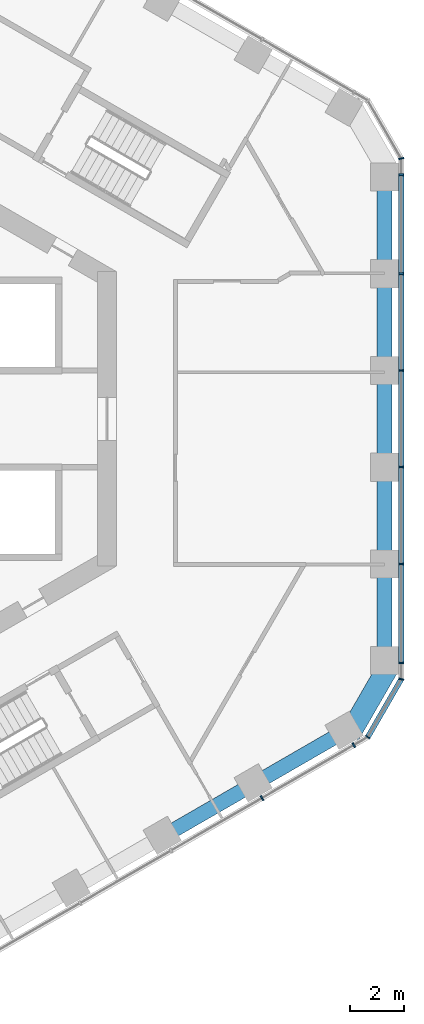
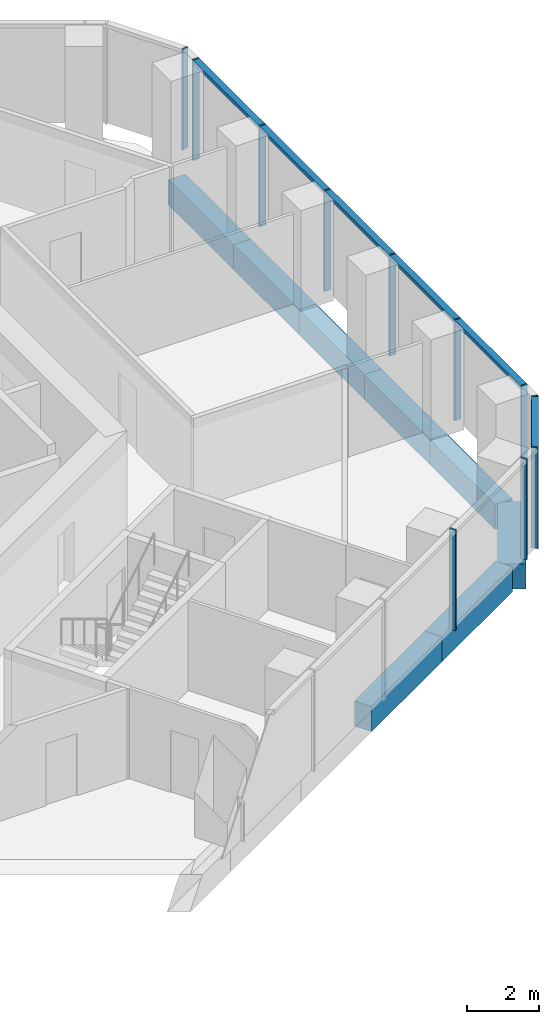
# One storey, part 5 of 19: 13 members, 8 beams, 4 elements without a shape of their own.
"""IFC4 building model written with IfcOpenShell, lengths in metres."""

from ifc_helpers import new_model, si_unit, direction, frame, origin, origin_2d, place, context, subcontext, project, spatial, rectangle, extrude, material, layer, layer_set, material_profile, profile_set, type_object, element, aggregate, save


model = new_model("IFC4")

# Units and contexts
model_context = context("Model", 3, precision=1e-05, world=origin(), true_north=direction((0.0, 1.0)))
body_context = subcontext(model_context, "Body", "Model", "MODEL_VIEW")
ifc_project = project(units=[si_unit("LENGTHUNIT", "METRE"), si_unit("AREAUNIT", "SQUARE_METRE"), si_unit("VOLUMEUNIT", "CUBIC_METRE"), si_unit("PLANEANGLEUNIT", "RADIAN"), si_unit("MASSUNIT", "GRAM", prefix="KILO")], contexts=[model_context])

# Site, building, storey
site_placement = place(None, origin())
site = spatial("IfcSite", under=ifc_project, at=site_placement, CompositionType="ELEMENT")
building_placement = place(site_placement, origin())
building = spatial("IfcBuilding", under=site, at=building_placement, Name="Ayvan Gate Tower", CompositionType="ELEMENT")
storey_placement = place(building_placement, frame((0.0, 0.0, 106.89990234375)))
storey = spatial("IfcBuildingStorey", under=building, at=storey_placement, Name="L28", CompositionType="ELEMENT", Elevation=106.89990234375)

# Beams
ifc_material_1 = material(Name="Concrete C40/50", Category="concrete")
ifc_material_profile_1 = material_profile(ifc_material_1, rectangle(XDim=0.800048828125, YDim=0.85009765625, at=origin_2d()), Name="RC 800x850")
ifc_profile_set_1 = profile_set([ifc_material_profile_1], Name="Concrete C40/50")
beam_type_1 = type_object("IfcBeamType", Name="Corner spandrel beam RC 800x850 C40/50", PredefinedType="BEAM", material=ifc_profile_set_1)
beam_placement = place(storey_placement, frame((18.176025390625, -11.761962890625, -0.77490234375), z_axis=(0.499990139034, 0.866031096941, 0.0), x_axis=(-0.866031096941, 0.499990139034, 0.0)))
element("IfcBeam", 1, at=beam_placement, inside=storey, type_object=beam_type_1, Name="SB-L28-36", PredefinedType="BEAM", context=body_context, shape_type="SweptSolid", body=[
    extrude(rectangle(XDim=0.800048828125, YDim=0.85009765625, at=origin_2d()), origin(), (0.0, 0.0, 1.0), 3.0),
])
ifc_material_profile_2 = material_profile(ifc_material_1, rectangle(XDim=0.550048828125, YDim=0.85009765625, at=origin_2d()), Name="RC 550x850")
ifc_profile_set_2 = profile_set([ifc_material_profile_2], Name="Concrete C40/50")
beam_type_2 = type_object("IfcBeamType", Name="Spandrel beam RC 550x850 C40/50", PredefinedType="BEAM", material=ifc_profile_set_2)
for number, where, z_axis, x_axis, name in (
    (2, (19.485595703125, -9.053955078125, -0.77490234375), (0.0, 1.0, 0.0), (-1.0, 0.0, 0.0), "SB-L28-1"),
    (3, (19.485595703125, -5.432373046875, -0.77490234375), (0.0, 1.0, 0.0), (-1.0, 0.0, 0.0), "SB-L28-2"),
    (4, (19.485595703125, -1.810791015625, -0.77490234375), (0.0, 1.0, 0.0), (-1.0, 0.0, 0.0), "SB-L28-3"),
    (5, (19.485595703125, 1.810791015625, -0.77490234375), (0.0, 1.0, 0.0), (-1.0, 0.0, 0.0), "SB-L28-4"),
    (6, (19.485595703125, 5.432373046875, -0.77490234375), (0.0, 1.0, 0.0), (-1.0, 0.0, 0.0), "SB-L28-5"),
):
    element("IfcBeam", number, at=place(storey_placement, frame(where, z_axis=z_axis, x_axis=x_axis)), inside=storey, type_object=beam_type_2, Name=name, PredefinedType="BEAM", context=body_context, shape_type="SweptSolid", body=[
        extrude(rectangle(XDim=0.550048828125, YDim=0.85009765625, at=origin_2d()), origin(), (0.0, 0.0, 1.0), 3.62158203125),
    ])
for number, where, z_axis, x_axis, name in (
    (7, (11.23046875, -15.552001953125, -0.77490234375), (0.866042777325, 0.499969906938, 0.0), (-0.499969906938, 0.866042777325, 0.0), "SB-L28-34"),
    (8, (14.608154296875, -13.60205078125, -0.77490234375), (0.866000020948, 0.500043961785, 0.0), (-0.500043961785, 0.866000020948, 0.0), "SB-L28-35"),
):
    element("IfcBeam", number, at=place(storey_placement, frame(where, z_axis=z_axis, x_axis=x_axis)), inside=storey, type_object=beam_type_2, Name=name, PredefinedType="BEAM", context=body_context, shape_type="SweptSolid", body=[
        extrude(rectangle(XDim=0.550048828125, YDim=0.85009765625, at=origin_2d()), origin(), (0.0, 0.0, 1.0), 3.900146484375),
    ])

# Curtain wall, members
ifc_material_2 = material(Name="Bronze anodised aluminium", Category="aluminium")
ifc_layer_1 = layer(ifc_material_2, 0.199951171875)
ifc_layer_set_1 = layer_set([ifc_layer_1], Name="Bronze anodised aluminium")
curtain_wall_type_1 = type_object("IfcCurtainWallType", Name="Stick curtain wall CW-1", PredefinedType="NOTDEFINED", material=ifc_layer_set_1)
curtain_wall_1_placement = place(storey_placement, origin())
curtain_wall_1 = element("IfcCurtainWall", 9, at=curtain_wall_1_placement, inside=storey, type_object=curtain_wall_type_1, Name="Stick curtain wall CW-1 L28", PredefinedType="NOTDEFINED")
ifc_material_profile_3 = material_profile(ifc_material_2, rectangle(XDim=0.199951171875, YDim=0.06005859375, at=origin_2d()), Name="Stick curtain wall CW-1 mullion 200 x 60")
ifc_profile_set_3 = profile_set([ifc_material_profile_3], Name="Bronze anodised aluminium")
member_type_1 = type_object("IfcMemberType", Name="Stick curtain wall CW-1 mullion 200 x 60", PredefinedType="MULLION", material=ifc_profile_set_3)
member_1_placement = place(storey_placement, frame((14.9267578125, -14.1240234375, 0.0), z_axis=(0.0, 0.0, 1.0), x_axis=(0.5, -0.866025403784, 0.0)))
member_1 = element("IfcMember", 10, at=member_1_placement, type_object=member_type_1, Name="CW-1 mullion 5", PredefinedType="MULLION", context=body_context, shape_type="SweptSolid", body=[
    extrude(rectangle(XDim=0.199951171875, YDim=0.06005859375, at=origin_2d()), origin(), (0.0, 0.0, 1.0), 3.400146484375),
])
member_2_placement = place(storey_placement, frame((18.34326171875, -12.1513671875, 0.0), z_axis=(0.0, 0.0, 1.0), x_axis=(0.5, -0.866025403784, 0.0)))
member_2 = element("IfcMember", 11, at=member_2_placement, type_object=member_type_1, Name="CW-1 mullion 6", PredefinedType="MULLION", context=body_context, shape_type="SweptSolid", body=[
    extrude(rectangle(XDim=0.199951171875, YDim=0.06005859375, at=origin_2d()), origin(), (0.0, 0.0, 1.0), 3.400146484375),
])
aggregate(curtain_wall_1, [member_1, member_2])

curtain_wall_2_placement = place(storey_placement, origin())
curtain_wall_2 = element("IfcCurtainWall", 12, at=curtain_wall_2_placement, inside=storey, type_object=curtain_wall_type_1, Name="Stick curtain wall CW-1 L28", PredefinedType="NOTDEFINED")
member_3_placement = place(storey_placement, frame((20.110595703125, -9.090576171875, 0.0), z_axis=(0.0, 0.0, 1.0), x_axis=(1.0, 0.0, 0.0)))
member_3 = element("IfcMember", 13, at=member_3_placement, type_object=member_type_1, Name="CW-1 mullion 1", PredefinedType="MULLION", context=body_context, shape_type="SweptSolid", body=[
    extrude(rectangle(XDim=0.199951171875, YDim=0.06005859375, at=origin_2d()), origin(), (0.0, 0.0, 1.0), 3.400146484375),
])
member_4_placement = place(storey_placement, frame((20.110595703125, -5.402587890625, 0.0), z_axis=(0.0, 0.0, 1.0), x_axis=(1.0, 0.0, 0.0)))
member_4 = element("IfcMember", 14, at=member_4_placement, type_object=member_type_1, Name="CW-1 mullion 2", PredefinedType="MULLION", context=body_context, shape_type="SweptSolid", body=[
    extrude(rectangle(XDim=0.199951171875, YDim=0.06005859375, at=origin_2d()), origin(), (0.0, 0.0, 1.0), 3.400146484375),
])
member_5_placement = place(storey_placement, frame((20.110595703125, -1.800537109375, 0.0), z_axis=(0.0, 0.0, 1.0), x_axis=(1.0, 0.0, 0.0)))
member_5 = element("IfcMember", 15, at=member_5_placement, type_object=member_type_1, Name="CW-1 mullion 3", PredefinedType="MULLION", context=body_context, shape_type="SweptSolid", body=[
    extrude(rectangle(XDim=0.199951171875, YDim=0.06005859375, at=origin_2d()), origin(), (0.0, 0.0, 1.0), 3.400146484375),
])
member_6_placement = place(storey_placement, frame((20.110595703125, 1.800537109375, 0.0), z_axis=(0.0, 0.0, 1.0), x_axis=(1.0, 0.0, 0.0)))
member_6 = element("IfcMember", 16, at=member_6_placement, type_object=member_type_1, Name="CW-1 mullion 4", PredefinedType="MULLION", context=body_context, shape_type="SweptSolid", body=[
    extrude(rectangle(XDim=0.199951171875, YDim=0.06005859375, at=origin_2d()), origin(), (0.0, 0.0, 1.0), 3.400146484375),
])
member_7_placement = place(storey_placement, frame((20.110595703125, 5.402587890625, 0.0), z_axis=(0.0, 0.0, 1.0), x_axis=(1.0, 0.0, 0.0)))
member_7 = element("IfcMember", 17, at=member_7_placement, type_object=member_type_1, Name="CW-1 mullion 5", PredefinedType="MULLION", context=body_context, shape_type="SweptSolid", body=[
    extrude(rectangle(XDim=0.199951171875, YDim=0.06005859375, at=origin_2d()), origin(), (0.0, 0.0, 1.0), 3.400146484375),
])
member_8_placement = place(storey_placement, frame((20.110595703125, 9.090576171875, 0.0), z_axis=(0.0, 0.0, 1.0), x_axis=(1.0, 0.0, 0.0)))
member_8 = element("IfcMember", 18, at=member_8_placement, type_object=member_type_1, Name="CW-1 mullion 6", PredefinedType="MULLION", context=body_context, shape_type="SweptSolid", body=[
    extrude(rectangle(XDim=0.199951171875, YDim=0.06005859375, at=origin_2d()), origin(), (0.0, 0.0, 1.0), 3.400146484375),
])
ifc_material_profile_4 = material_profile(ifc_material_2, rectangle(XDim=0.199951171875, YDim=0.1201171875, at=origin_2d()), Name="Stick curtain wall CW-1 transom 200 x 120")
ifc_profile_set_4 = profile_set([ifc_material_profile_4], Name="Bronze anodised aluminium")
member_type_2 = type_object("IfcMemberType", Name="Stick curtain wall CW-1 transom 200 x 120", PredefinedType="USERDEFINED", material=ifc_profile_set_4)
member_9_placement = place(storey_placement, frame((20.110595703125, -9.090576171875, 3.340087890625), z_axis=(0.0, 1.0, 0.0), x_axis=(-1.0, 0.0, 0.0)))
member_9 = element("IfcMember", 19, at=member_9_placement, type_object=member_type_2, Name="CW-1 transom 1", ObjectType="TRANSOM", PredefinedType="USERDEFINED", context=body_context, shape_type="SweptSolid", body=[
    extrude(rectangle(XDim=0.199951171875, YDim=0.1201171875, at=origin_2d()), origin(), (0.0, 0.0, 1.0), 18.18115234375),
])
aggregate(curtain_wall_2, [member_3, member_4, member_5, member_6, member_7, member_8, member_9])

ifc_layer_2 = layer(ifc_material_2, 0.199951171875)
ifc_layer_set_2 = layer_set([ifc_layer_2], Name="Bronze anodised aluminium")
curtain_wall_type_2 = type_object("IfcCurtainWallType", Name="Stick curtain wall CW-6", PredefinedType="NOTDEFINED", material=ifc_layer_set_2)
curtain_wall_3_placement = place(storey_placement, origin())
curtain_wall_3 = element("IfcCurtainWall", 20, at=curtain_wall_3_placement, inside=storey, type_object=curtain_wall_type_2, Name="Stick curtain wall CW-6 L28", PredefinedType="NOTDEFINED")
ifc_material_profile_5 = material_profile(ifc_material_2, rectangle(XDim=0.199951171875, YDim=0.050048828125, at=origin_2d()), Name="Stick curtain wall CW-6 mullion 200 x 50")
ifc_profile_set_5 = profile_set([ifc_material_profile_5], Name="Bronze anodised aluminium")
member_type_3 = type_object("IfcMemberType", Name="Stick curtain wall CW-6 mullion 200 x 50", PredefinedType="MULLION", material=ifc_profile_set_5)
member_10_placement = place(storey_placement, frame((18.8671875, -11.848876953125, 0.0), z_axis=(0.0, 0.0, 1.0), x_axis=(0.707106781187, -0.707106781187, 0.0)))
member_10 = element("IfcMember", 21, at=member_10_placement, type_object=member_type_3, Name="CW-6 mullion 2", PredefinedType="MULLION", context=body_context, shape_type="SweptSolid", body=[
    extrude(rectangle(XDim=0.199951171875, YDim=0.050048828125, at=origin_2d()), origin(), (0.0, 0.0, 1.0), 3.400146484375),
])
member_11_placement = place(storey_placement, frame((20.110595703125, -9.695556640625, 0.0), z_axis=(0.0, 0.0, 1.0), x_axis=(0.965925826289, -0.258819045103, 0.0)))
member_11 = element("IfcMember", 22, at=member_11_placement, type_object=member_type_3, Name="CW-6 mullion 3", PredefinedType="MULLION", context=body_context, shape_type="SweptSolid", body=[
    extrude(rectangle(XDim=0.199951171875, YDim=0.050048828125, at=origin_2d()), origin(), (0.0, 0.0, 1.0), 3.400146484375),
])

# Curtain wall, member
curtain_wall_4_placement = place(storey_placement, origin())
curtain_wall_4 = element("IfcCurtainWall", 23, at=curtain_wall_4_placement, inside=storey, type_object=curtain_wall_type_2, Name="Stick curtain wall CW-6 L28", PredefinedType="NOTDEFINED")
member_12_placement = place(storey_placement, frame((20.110595703125, 9.695556640625, 0.0), z_axis=(0.0, 0.0, 1.0), x_axis=(0.965925826289, 0.258819045103, 0.0)))
member_12 = element("IfcMember", 24, at=member_12_placement, type_object=member_type_3, Name="CW-6 mullion 2", PredefinedType="MULLION", context=body_context, shape_type="SweptSolid", body=[
    extrude(rectangle(XDim=0.199951171875, YDim=0.050048828125, at=origin_2d()), origin(), (0.0, 0.0, 1.0), 3.400146484375),
])
aggregate(curtain_wall_4, [member_12])

# Member
ifc_material_profile_6 = material_profile(ifc_material_2, rectangle(XDim=0.199951171875, YDim=0.1201171875, at=origin_2d()), Name="Stick curtain wall CW-6 transom 200 x 120")
ifc_profile_set_6 = profile_set([ifc_material_profile_6], Name="Bronze anodised aluminium")
member_type_4 = type_object("IfcMemberType", Name="Stick curtain wall CW-6 transom 200 x 120", PredefinedType="USERDEFINED", material=ifc_profile_set_6)
member_13_placement = place(storey_placement, frame((18.8798828125, -11.827392578125, 3.340087890625), z_axis=(0.499997116, 0.866027068856, 0.0), x_axis=(-0.866027068856, 0.499997116, 0.0)))
member_13 = element("IfcMember", 25, at=member_13_placement, type_object=member_type_4, Name="CW-6 transom 2", ObjectType="TRANSOM", PredefinedType="USERDEFINED", context=body_context, shape_type="SweptSolid", body=[
    extrude(rectangle(XDim=0.199951171875, YDim=0.1201171875, at=origin_2d()), origin(), (0.0, 0.0, 1.0), 2.4365234375),
])

aggregate(curtain_wall_3, [member_10, member_11, member_13])

save(model, "model.ifc")
